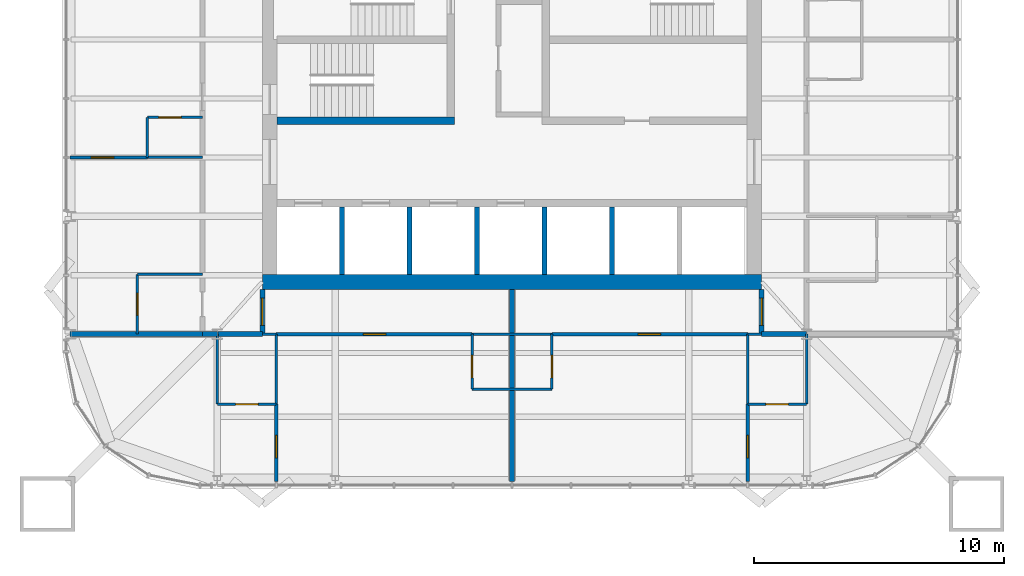
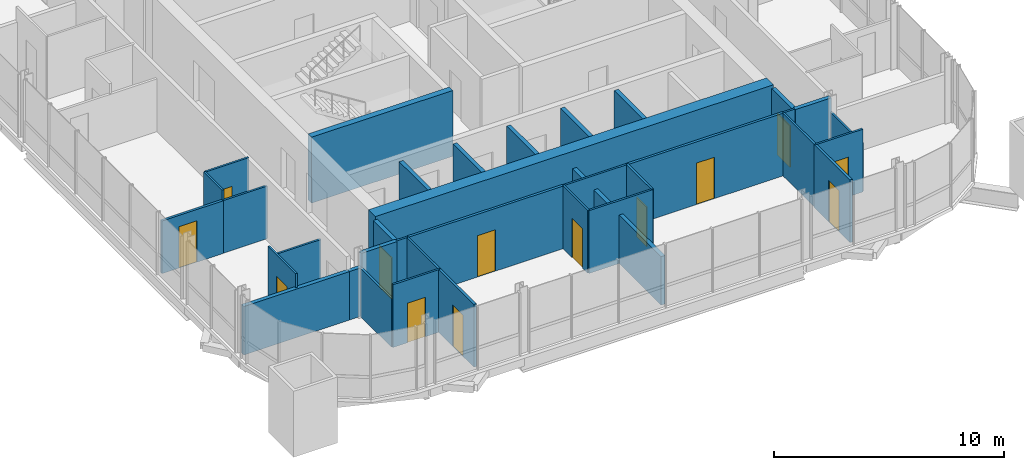
# One storey, part 13 of 17: 36 walls, 13 doors, 13 openings.
"""IFC4 building model written with IfcOpenShell, lengths in metres."""

import ifcopenshell
import ifcopenshell.guid

model = None  # the IFC model being written
_history = None  # IfcOwnerHistory: only IFC2X3 demands one
_inside = {}  # id of a spatial element -> (the spatial element, [elements in it])
_under = {}  # id of a project, library or spatial element -> (it, [spatial elements below it])
_declared = {}  # id of a project -> (the project, [libraries it declares])
_typed = {}  # id of a type object -> (the type object, [elements of that type])
_made_of = {}  # id of a material, layer set ... -> (it, [elements and type objects made of it])


def new_model(schema):
    """Start an empty IFC model of exactly this schema.

    Asked for "IFC4X3", IfcOpenShell would pick the latest addendum, in which some entities
    have other attributes; the version numbers below select the first issue.
    IFC2X3 requires an IfcOwnerHistory on every rooted entity: one is made here for all.
    """
    global model, _history
    if schema == "IFC4X3":
        model = ifcopenshell.file(schema_version=(4, 3, 0, 0))
    else:
        model = ifcopenshell.file(schema=schema)
    _inside.clear()
    _under.clear()
    _declared.clear()
    _typed.clear()
    _made_of.clear()
    _history = None
    if model.schema == "IFC2X3":
        org = make("IfcOrganization", Name="unknown")
        user = make(
            "IfcPersonAndOrganization",
            ThePerson=make("IfcPerson", FamilyName="unknown"),
            TheOrganization=org,
        )
        app = make(
            "IfcApplication",
            ApplicationDeveloper=org,
            Version="unknown",
            ApplicationFullName="unknown",
            ApplicationIdentifier="unknown",
        )
        _history = make(
            "IfcOwnerHistory",
            OwningUser=user,
            OwningApplication=app,
            ChangeAction="ADDED",
            CreationDate=0,
        )
    return model


def make(cls, **values):
    """One entity of the class cls with the attributes given. An attribute that is None is left unset."""
    return model.create_entity(
        cls, **{name: value for name, value in values.items() if value is not None}
    )


def rooted(cls, **values):
    """An entity with a GlobalId (a new one), such as an element, a storey or a relation."""
    return make(cls, GlobalId=ifcopenshell.guid.new(), OwnerHistory=_history, **values)


def si_unit(unit_type, name, prefix=None):
    """IfcSIUnit, for example si_unit("LENGTHUNIT", "METRE", prefix="MILLI")."""
    return make("IfcSIUnit", UnitType=unit_type, Prefix=prefix, Name=name)


def assignment(units):
    """IfcUnitAssignment: the units of a project."""
    return None if units is None else make("IfcUnitAssignment", Units=units)


def point(xyz):
    """IfcCartesianPoint."""
    return None if xyz is None else make("IfcCartesianPoint", Coordinates=xyz)


def direction(xyz):
    """IfcDirection."""
    return None if xyz is None else make("IfcDirection", DirectionRatios=xyz)


def frame(location, z_axis=None, x_axis=None):
    """IfcAxis2Placement3D, a coordinate frame: its origin and axes. An axis left out is left unset."""
    return make(
        "IfcAxis2Placement3D",
        Location=point(location),
        Axis=direction(z_axis),
        RefDirection=direction(x_axis),
    )


def frame_2d(location, x_axis=None):
    """IfcAxis2Placement2D, a coordinate frame in the plane: its origin and x axis."""
    return make(
        "IfcAxis2Placement2D", Location=point(location), RefDirection=direction(x_axis)
    )


def origin():
    """The frame at (0, 0, 0) with its axes left unset."""
    return frame((0.0, 0.0, 0.0))


def place(relative_to, where):
    """IfcLocalPlacement: puts the frame where relative to a parent placement (None: the world)."""
    return make(
        "IfcLocalPlacement", PlacementRelTo=relative_to, RelativePlacement=where
    )


def context(
    kind, dimensions, precision=None, world=None, true_north=None, identifier=None
):
    """IfcGeometricRepresentationContext, for example the 3D "Model" context."""
    return make(
        "IfcGeometricRepresentationContext",
        ContextIdentifier=identifier,
        ContextType=kind,
        CoordinateSpaceDimension=dimensions,
        Precision=precision,
        WorldCoordinateSystem=world,
        TrueNorth=true_north,
    )


def subcontext(parent, identifier, kind, view, scale=None):
    """IfcGeometricRepresentationSubContext, for example "Body" below "Model"."""
    return make(
        "IfcGeometricRepresentationSubContext",
        ContextIdentifier=identifier,
        ContextType=kind,
        ParentContext=parent,
        TargetScale=scale,
        TargetView=view,
    )


def project(units=None, contexts=None):
    """IfcProject with its units and contexts."""
    return rooted(
        "IfcProject",
        Name="project",
        RepresentationContexts=contexts,
        UnitsInContext=assignment(units),
    )


def spatial(cls, under=None, at=None, **own):
    """A site, building, storey or space (cls), placed at a placement, below another one or the project."""
    s = rooted(cls, ObjectPlacement=at, **own)
    if under is not None:
        _under.setdefault(under.id(), (under, []))[1].append(s)
    return s


def profile(cls, at=None, kind="AREA", **sizes):
    """A parametric profile (cls). Its sizes go by their IFC names, for example OverallWidth=200.0."""
    return make(cls, ProfileType=kind, Position=at, **sizes)


def rectangle(**sizes):
    """IfcRectangleProfileDef."""
    return profile("IfcRectangleProfileDef", **sizes)


def extrude(swept, where, along, depth):
    """IfcExtrudedAreaSolid: the profile swept, set in the frame where, extruded along a direction by depth."""
    return make(
        "IfcExtrudedAreaSolid",
        SweptArea=swept,
        Position=where,
        ExtrudedDirection=direction(along),
        Depth=depth,
    )


def shape(context_of_items, identifier, shape_type, items):
    """IfcShapeRepresentation: the items that make up one representation, for example the "Body"."""
    return make(
        "IfcShapeRepresentation",
        ContextOfItems=context_of_items,
        RepresentationIdentifier=identifier,
        RepresentationType=shape_type,
        Items=items,
    )


def material(Name=None, Category=None):
    """IfcMaterial."""
    return make("IfcMaterial", Name=Name, Category=Category)


def layer(
    of_material, thickness, ventilated=None, Name=None, Category=None, Priority=None
):
    """IfcMaterialLayer: one layer of a wall or slab, of a material (None: an air gap)."""
    return make(
        "IfcMaterialLayer",
        Material=of_material,
        LayerThickness=thickness,
        IsVentilated=ventilated,
        Name=Name,
        Category=Category,
        Priority=Priority,
    )


def layer_set(layers, Name=None):
    """IfcMaterialLayerSet."""
    return make("IfcMaterialLayerSet", MaterialLayers=layers, LayerSetName=Name)


def made_of(thing, what):
    """Note that an element or type object is made of a material, layer set ...; save() writes the relation."""
    if what is not None:
        _made_of.setdefault(what.id(), (what, []))[1].append(thing)
    return thing


def type_object(cls, material=None, **own):
    """A type object (cls), such as IfcWallType, which elements share."""
    return made_of(rooted(cls, **own), material)


def element(
    cls,
    number,
    at=None,
    inside=None,
    cuts=None,
    type_object=None,
    material=None,
    context=None,
    identifier="Body",
    shape_type=None,
    held_by="IfcProductDefinitionShape",
    body=None,
    shapes=None,
    **own,
):
    """One element of the class cls, such as IfcWall. Its Tag is "e" and its number.

    at: its placement. inside: the storey or other place that contains it. cuts: it is an
    opening in that element (IfcRelVoidsElement). A single representation is given by context,
    identifier, shape_type and body (its items); several are given by shapes. held_by: the class
    of the entity that holds the representations. save() writes the other relations.
    """
    e = rooted(cls, Tag="e%d" % number, ObjectPlacement=at, **own)
    if body is not None:
        shapes = [shape(context, identifier, shape_type, body)]
    if shapes is not None:
        e.Representation = make(held_by, Representations=shapes)
    if inside is not None:
        _inside.setdefault(inside.id(), (inside, []))[1].append(e)
    if cuts is not None:
        rooted(
            "IfcRelVoidsElement", RelatingBuildingElement=cuts, RelatedOpeningElement=e
        )
    if type_object is not None:
        _typed.setdefault(type_object.id(), (type_object, []))[1].append(e)
    return made_of(e, material)


def fill(opening, filler):
    """IfcRelFillsElement: the door or window that sits in an opening."""
    return rooted(
        "IfcRelFillsElement",
        RelatingOpeningElement=opening,
        RelatedBuildingElement=filler,
    )


def aggregate(whole, parts):
    """IfcRelAggregates: a whole, such as a stair, and the parts it consists of."""
    return rooted("IfcRelAggregates", RelatingObject=whole, RelatedObjects=parts)


def save(model, path):
    """Write the relations noted so far, then the file.

    IfcRelAggregates (storeys below a building ...), IfcRelContainedInSpatialStructure (elements
    in a storey), IfcRelDefinesByType, IfcRelAssociatesMaterial and IfcRelDeclares: one each for
    every whole, place, type object, material and project.
    """
    for whole, parts in _under.values():
        aggregate(whole, parts)
    for where, things in _inside.values():
        rooted(
            "IfcRelContainedInSpatialStructure",
            RelatedElements=things,
            RelatingStructure=where,
        )
    for kind, things in _typed.values():
        rooted("IfcRelDefinesByType", RelatedObjects=things, RelatingType=kind)
    for what, things in _made_of.values():
        rooted("IfcRelAssociatesMaterial", RelatedObjects=things, RelatingMaterial=what)
    for by, libraries in _declared.values():
        rooted("IfcRelDeclares", RelatingContext=by, RelatedDefinitions=libraries)
    model.write(path)


model = new_model("IFC4")

# Units and contexts
model_context = context("Model", 3, precision=1e-05, world=origin(), true_north=direction((0.0, 1.0)))
body_context = subcontext(model_context, "Body", "Model", "MODEL_VIEW")
ifc_project = project(units=[si_unit("LENGTHUNIT", "METRE"), si_unit("AREAUNIT", "SQUARE_METRE"), si_unit("VOLUMEUNIT", "CUBIC_METRE"), si_unit("PLANEANGLEUNIT", "RADIAN"), si_unit("MASSUNIT", "GRAM", prefix="KILO")], contexts=[model_context])

# Site, building, storey
site_placement = place(None, origin())
site = spatial("IfcSite", under=ifc_project, at=site_placement, CompositionType="ELEMENT")
building_placement = place(site_placement, origin())
building = spatial("IfcBuilding", under=site, at=building_placement, Name="Turquesa Mirador Hotel Tower", CompositionType="ELEMENT")
storey_placement = place(building_placement, frame((0.0, 0.0, 237.199951171875)))
storey = spatial("IfcBuildingStorey", under=building, at=storey_placement, Name="L64", CompositionType="ELEMENT", Elevation=237.199951171875)

# Walls
ifc_material_1 = material(Name="Gypsum board on steel studs", Category="steel")
ifc_layer_1 = layer(ifc_material_1, 0.10009765625)
ifc_layer_set_1 = layer_set([ifc_layer_1], Name="BATHROOM WALL 100")
wall_type_1 = type_object("IfcWallType", Name="BATHROOM WALL 100", PredefinedType="PARTITIONING", material=ifc_layer_set_1)
wall_1_placement = place(storey_placement, frame((45.0, 33.199951171875, 0.0), z_axis=(0.0, 0.0, 1.0), x_axis=(1.0, 0.0, 0.0)))
element("IfcWall", 1, at=wall_1_placement, inside=storey, type_object=wall_type_1, Name="Partition L64 002", PredefinedType="PARTITIONING", context=body_context, shape_type="SweptSolid", body=[
    extrude(rectangle(XDim=0.56005859375, YDim=0.10009765625, at=frame_2d((0.280029296875, 0.0))), origin(), (0.0, 0.0, 1.0), 3.330078125),
])
wall_2_placement = place(storey_placement, frame((53.39990234375, 33.199951171875, 0.0), z_axis=(0.0, 0.0, 1.0), x_axis=(1.0, 0.0, 0.0)))
element("IfcWall", 2, at=wall_2_placement, inside=storey, type_object=wall_type_1, Name="Partition L64 003", PredefinedType="PARTITIONING", context=body_context, shape_type="SweptSolid", body=[
    extrude(rectangle(XDim=3.2001953125, YDim=0.10009765625, at=frame_2d((1.60009765625, 0.0))), origin(), (0.0, 0.0, 1.0), 3.330078125),
])
wall_3_placement = place(storey_placement, frame((64.43994140625, 33.199951171875, 0.0), z_axis=(0.0, 0.0, 1.0), x_axis=(1.0, 0.0, 0.0)))
element("IfcWall", 3, at=wall_3_placement, inside=storey, type_object=wall_type_1, Name="Partition L64 004", PredefinedType="PARTITIONING", context=body_context, shape_type="SweptSolid", body=[
    extrude(rectangle(XDim=0.56005859375, YDim=0.10009765625, at=frame_2d((0.280029296875, 0.0))), origin(), (0.0, 0.0, 1.0), 3.330078125),
])
wall_4_placement = place(storey_placement, frame((53.39990234375, 31.0, 0.0), z_axis=(0.0, 0.0, 1.0), x_axis=(1.0, 0.0, 0.0)))
element("IfcWall", 4, at=wall_4_placement, inside=storey, type_object=wall_type_1, Name="Partition L64 011", PredefinedType="PARTITIONING", context=body_context, shape_type="SweptSolid", body=[
    extrude(rectangle(XDim=3.2001953125, YDim=0.10009765625, at=frame_2d((1.60009765625, 0.0))), origin(), (0.0, 0.0, 1.0), 3.330078125),
])

# Wall, opening, door
wall_5_placement = place(storey_placement, frame((43.199951171875, 30.39990234375, 0.0), z_axis=(0.0, 0.0, 1.0), x_axis=(1.0, 0.0, 0.0)))
wall_5 = element("IfcWall", 5, at=wall_5_placement, inside=storey, type_object=wall_type_1, Name="Partition L64 012", PredefinedType="PARTITIONING", context=body_context, shape_type="SweptSolid", body=[
    extrude(rectangle(XDim=2.360107421875, YDim=0.10009765625, at=frame_2d((1.18017578125, 0.0))), origin(), (0.0, 0.0, 1.0), 3.330078125),
])
opening_1_placement = place(wall_5_placement, frame((0.72998046875, 0.0, 0.0)))
opening_1 = element("IfcOpeningElement", 6, at=opening_1_placement, cuts=wall_5, Name="Opening D02", PredefinedType="OPENING", context=body_context, shape_type="SweptSolid", body=[
    extrude(rectangle(XDim=0.89990234375, YDim=2.10009765625, at=frame_2d((0.449951171875, 1.050048828125))), frame((0.0, 0.06005859375, 0.0), z_axis=(0.0, -1.0, 0.0), x_axis=(1.0, 0.0, 0.0)), (0.0, 0.0, 1.0), 0.1201171875),
])
ifc_material_2 = material(Name="Timber veneered door", Category="wood")
door_type_1 = type_object("IfcDoorType", Name="DOOR 900X2100 EN-SUITE", OperationType="SINGLE_SWING_RIGHT", PredefinedType="DOOR", material=ifc_material_2)
door_1_placement = place(opening_1_placement, origin())
door_1 = element("IfcDoor", 7, at=door_1_placement, inside=storey, type_object=door_type_1, Name="Door 6402B", OperationType="SINGLE_SWING_RIGHT", OverallHeight=2.10009765625, OverallWidth=0.89990234375, PredefinedType="DOOR", context=body_context, shape_type="SweptSolid", body=[
    extrude(rectangle(XDim=0.89990234375, YDim=2.10009765625, at=frame_2d((0.449951171875, 1.050048828125))), frame((0.0, 0.02490234375, 0.0), z_axis=(0.0, -1.0, 0.0), x_axis=(1.0, 0.0, 0.0)), (0.0, 0.0, 1.0), 0.050048828125),
])
fill(opening_1, door_1)

wall_6_placement = place(storey_placement, frame((64.43994140625, 30.39990234375, 0.0), z_axis=(0.0, 0.0, 1.0), x_axis=(1.0, 0.0, 0.0)))
wall_6 = element("IfcWall", 8, at=wall_6_placement, inside=storey, type_object=wall_type_1, Name="Partition L64 013", PredefinedType="PARTITIONING", context=body_context, shape_type="SweptSolid", body=[
    extrude(rectangle(XDim=2.360107421875, YDim=0.10009765625, at=frame_2d((1.18017578125, 0.0))), origin(), (0.0, 0.0, 1.0), 3.330078125),
])
opening_2_placement = place(wall_6_placement, frame((0.72998046875, 0.0, 0.0)))
opening_2 = element("IfcOpeningElement", 9, at=opening_2_placement, cuts=wall_6, Name="Opening D02", PredefinedType="OPENING", context=body_context, shape_type="SweptSolid", body=[
    extrude(rectangle(XDim=0.89990234375, YDim=2.10009765625, at=frame_2d((0.449951171875, 1.050048828125))), frame((0.0, 0.06005859375, 0.0), z_axis=(0.0, -1.0, 0.0), x_axis=(1.0, 0.0, 0.0)), (0.0, 0.0, 1.0), 0.1201171875),
])
door_2_placement = place(opening_2_placement, origin())
door_2 = element("IfcDoor", 10, at=door_2_placement, inside=storey, type_object=door_type_1, Name="Door 6403B", OperationType="SINGLE_SWING_RIGHT", OverallHeight=2.10009765625, OverallWidth=0.89990234375, PredefinedType="DOOR", context=body_context, shape_type="SweptSolid", body=[
    extrude(rectangle(XDim=0.89990234375, YDim=2.10009765625, at=frame_2d((0.449951171875, 1.050048828125))), frame((0.0, 0.02490234375, 0.0), z_axis=(0.0, -1.0, 0.0), x_axis=(1.0, 0.0, 0.0)), (0.0, 0.0, 1.0), 0.050048828125),
])
fill(opening_2, door_2)

wall_7_placement = place(storey_placement, frame((40.39990234375, 41.8798828125, 0.0), z_axis=(0.0, 0.0, 1.0), x_axis=(1.0, 0.0, 0.0)))
wall_7 = element("IfcWall", 11, at=wall_7_placement, inside=storey, type_object=wall_type_1, Name="Partition L64 014", PredefinedType="PARTITIONING", context=body_context, shape_type="SweptSolid", body=[
    extrude(rectangle(XDim=2.2001953125, YDim=0.10009765625, at=frame_2d((1.10009765625, 0.0))), origin(), (0.0, 0.0, 1.0), 3.330078125),
])
opening_3_placement = place(wall_7_placement, frame((0.449951171875, 0.0, 0.0)))
opening_3 = element("IfcOpeningElement", 12, at=opening_3_placement, cuts=wall_7, Name="Opening D06", PredefinedType="OPENING", context=body_context, shape_type="SweptSolid", body=[
    extrude(rectangle(XDim=0.89990234375, YDim=2.10009765625, at=frame_2d((0.449951171875, 1.050048828125))), frame((0.0, 0.06005859375, 0.0), z_axis=(0.0, -1.0, 0.0), x_axis=(1.0, 0.0, 0.0)), (0.0, 0.0, 1.0), 0.1201171875),
])
ifc_material_3 = material(Name="Laminate door", Category="wood")
door_type_2 = type_object("IfcDoorType", Name="DOOR 900X2100 WC", OperationType="SINGLE_SWING_LEFT", PredefinedType="DOOR", material=ifc_material_3)
door_3_placement = place(opening_3_placement, origin())
door_3 = element("IfcDoor", 13, at=door_3_placement, inside=storey, type_object=door_type_2, Name="Door 6406W", OperationType="SINGLE_SWING_LEFT", OverallHeight=2.10009765625, OverallWidth=0.89990234375, PredefinedType="DOOR", context=body_context, shape_type="SweptSolid", body=[
    extrude(rectangle(XDim=0.89990234375, YDim=2.10009765625, at=frame_2d((0.449951171875, 1.050048828125))), frame((0.0, 0.02490234375, 0.0), z_axis=(0.0, -1.0, 0.0), x_axis=(1.0, 0.0, 0.0)), (0.0, 0.0, 1.0), 0.050048828125),
])
fill(opening_3, door_3)

# Walls
wall_8_placement = place(storey_placement, frame((40.39990234375, 40.280029296875, 0.0), z_axis=(0.0, 0.0, 1.0), x_axis=(1.0, 0.0, 0.0)))
element("IfcWall", 14, at=wall_8_placement, inside=storey, type_object=wall_type_1, Name="Partition L64 015", PredefinedType="PARTITIONING", context=body_context, shape_type="SweptSolid", body=[
    extrude(rectangle(XDim=2.2001953125, YDim=0.10009765625, at=frame_2d((1.10009765625, 0.0))), origin(), (0.0, 0.0, 1.0), 2.796630859375),
])
wall_9_placement = place(storey_placement, frame((40.0, 35.60009765625, 0.0), z_axis=(0.0, 0.0, 1.0), x_axis=(1.0, 0.0, 0.0)))
element("IfcWall", 15, at=wall_9_placement, inside=storey, type_object=wall_type_1, Name="Partition L64 019", PredefinedType="PARTITIONING", context=body_context, shape_type="SweptSolid", body=[
    extrude(rectangle(XDim=2.60009765625, YDim=0.10009765625, at=frame_2d((1.300048828125, 0.0))), origin(), (0.0, 0.0, 1.0), 2.796630859375),
])

# Wall, opening, door
wall_10_placement = place(storey_placement, frame((53.39990234375, 31.0, 0.0), z_axis=(0.0, 0.0, 1.0), x_axis=(0.0, 1.0, 0.0)))
wall_10 = element("IfcWall", 16, at=wall_10_placement, inside=storey, type_object=wall_type_1, Name="Partition L64 041", PredefinedType="PARTITIONING", context=body_context, shape_type="SweptSolid", body=[
    extrude(rectangle(XDim=2.199951171875, YDim=0.10009765625, at=frame_2d((1.10009765625, 0.0))), origin(), (0.0, 0.0, 1.0), 3.330078125),
])
opening_4_placement = place(wall_10_placement, frame((0.449951171875, 0.0, 0.0)))
opening_4 = element("IfcOpeningElement", 17, at=opening_4_placement, cuts=wall_10, Name="Opening D06", PredefinedType="OPENING", context=body_context, shape_type="SweptSolid", body=[
    extrude(rectangle(XDim=0.89990234375, YDim=2.10009765625, at=frame_2d((0.449951171875, 1.050048828125))), frame((0.0, 0.06005859375, 0.0), z_axis=(0.0, -1.0, 0.0), x_axis=(1.0, 0.0, 0.0)), (0.0, 0.0, 1.0), 0.1201171875),
])
door_4_placement = place(opening_4_placement, origin())
door_4 = element("IfcDoor", 18, at=door_4_placement, inside=storey, type_object=door_type_2, Name="Door 6402W", OperationType="SINGLE_SWING_LEFT", OverallHeight=2.10009765625, OverallWidth=0.89990234375, PredefinedType="DOOR", context=body_context, shape_type="SweptSolid", body=[
    extrude(rectangle(XDim=0.89990234375, YDim=2.10009765625, at=frame_2d((0.449951171875, 1.050048828125))), frame((0.0, 0.02490234375, 0.0), z_axis=(0.0, -1.0, 0.0), x_axis=(1.0, 0.0, 0.0)), (0.0, 0.0, 1.0), 0.050048828125),
])
fill(opening_4, door_4)

# Walls
wall_11_placement = place(storey_placement, frame((43.199951171875, 30.39990234375, 0.0), z_axis=(0.0, 0.0, 1.0), x_axis=(0.0, 1.0, 0.0)))
element("IfcWall", 19, at=wall_11_placement, inside=storey, type_object=wall_type_1, Name="Partition L64 044", PredefinedType="PARTITIONING", context=body_context, shape_type="SweptSolid", body=[
    extrude(rectangle(XDim=2.800048828125, YDim=0.10009765625, at=frame_2d((1.39990234375, 0.0))), origin(), (0.0, 0.0, 1.0), 2.5732421875),
])
wall_12_placement = place(storey_placement, frame((40.39990234375, 40.280029296875, 0.0), z_axis=(0.0, 0.0, 1.0), x_axis=(0.0, 1.0, 0.0)))
element("IfcWall", 20, at=wall_12_placement, inside=storey, type_object=wall_type_1, Name="Partition L64 047", PredefinedType="PARTITIONING", context=body_context, shape_type="SweptSolid", body=[
    extrude(rectangle(XDim=1.599853515625, YDim=0.10009765625, at=frame_2d((0.7998046875, 0.0))), origin(), (0.0, 0.0, 1.0), 3.330078125),
])

# Wall, opening, door
wall_13_placement = place(storey_placement, frame((40.0, 33.199951171875, 0.0), z_axis=(0.0, 0.0, 1.0), x_axis=(0.0, 1.0, 0.0)))
wall_13 = element("IfcWall", 21, at=wall_13_placement, inside=storey, type_object=wall_type_1, Name="Partition L64 049", PredefinedType="PARTITIONING", context=body_context, shape_type="SweptSolid", body=[
    extrude(rectangle(XDim=2.400146484375, YDim=0.10009765625, at=frame_2d((1.2001953125, 0.0))), origin(), (0.0, 0.0, 1.0), 3.330078125),
])
opening_5_placement = place(wall_13_placement, frame((0.75, 0.0, 0.0)))
opening_5 = element("IfcOpeningElement", 22, at=opening_5_placement, cuts=wall_13, Name="Opening D17", PredefinedType="OPENING", context=body_context, shape_type="SweptSolid", body=[
    extrude(rectangle(XDim=0.89990234375, YDim=2.199951171875, at=frame_2d((0.449951171875, 1.10009765625))), frame((0.0, 0.06005859375, 0.0), z_axis=(0.0, -1.0, 0.0), x_axis=(1.0, 0.0, 0.0)), (0.0, 0.0, 1.0), 0.1201171875),
])
ifc_material_4 = material(Name="Timber veneered door", Category="wood")
door_type_3 = type_object("IfcDoorType", Name="DOOR 900X2200 SUITE INTERNAL", OperationType="SINGLE_SWING_LEFT", PredefinedType="DOOR", material=ifc_material_4)
door_5_placement = place(opening_5_placement, origin())
door_5 = element("IfcDoor", 23, at=door_5_placement, inside=storey, type_object=door_type_3, Name="Door 6406P", OperationType="SINGLE_SWING_LEFT", OverallHeight=2.199951171875, OverallWidth=0.89990234375, PredefinedType="DOOR", context=body_context, shape_type="SweptSolid", body=[
    extrude(rectangle(XDim=0.89990234375, YDim=2.199951171875, at=frame_2d((0.449951171875, 1.10009765625))), frame((0.0, 0.02490234375, 0.0), z_axis=(0.0, -1.0, 0.0), x_axis=(1.0, 0.0, 0.0)), (0.0, 0.0, 1.0), 0.050048828125),
])
fill(opening_5, door_5)

# Wall
wall_14_placement = place(storey_placement, frame((45.56005859375, 30.39990234375, 0.0), z_axis=(0.0, 0.0, 1.0), x_axis=(0.0, 1.0, 0.0)))
element("IfcWall", 24, at=wall_14_placement, inside=storey, type_object=wall_type_1, Name="Partition L64 055", PredefinedType="PARTITIONING", context=body_context, shape_type="SweptSolid", body=[
    extrude(rectangle(XDim=2.800048828125, YDim=0.10009765625, at=frame_2d((1.39990234375, 0.0))), origin(), (0.0, 0.0, 1.0), 3.330078125),
])

# Wall, opening, door
wall_15_placement = place(storey_placement, frame((56.60009765625, 31.0, 0.0), z_axis=(0.0, 0.0, 1.0), x_axis=(0.0, 1.0, 0.0)))
wall_15 = element("IfcWall", 25, at=wall_15_placement, inside=storey, type_object=wall_type_1, Name="Partition L64 058", PredefinedType="PARTITIONING", context=body_context, shape_type="SweptSolid", body=[
    extrude(rectangle(XDim=2.199951171875, YDim=0.10009765625, at=frame_2d((1.10009765625, 0.0))), origin(), (0.0, 0.0, 1.0), 3.330078125),
])
opening_6_placement = place(wall_15_placement, frame((0.449951171875, 0.0, 0.0)))
opening_6 = element("IfcOpeningElement", 26, at=opening_6_placement, cuts=wall_15, Name="Opening D06", PredefinedType="OPENING", context=body_context, shape_type="SweptSolid", body=[
    extrude(rectangle(XDim=0.89990234375, YDim=2.10009765625, at=frame_2d((0.449951171875, 1.050048828125))), frame((0.0, 0.06005859375, 0.0), z_axis=(0.0, -1.0, 0.0), x_axis=(1.0, 0.0, 0.0)), (0.0, 0.0, 1.0), 0.1201171875),
])
door_6_placement = place(opening_6_placement, origin())
door_6 = element("IfcDoor", 27, at=door_6_placement, inside=storey, type_object=door_type_2, Name="Door 6403W", OperationType="SINGLE_SWING_LEFT", OverallHeight=2.10009765625, OverallWidth=0.89990234375, PredefinedType="DOOR", context=body_context, shape_type="SweptSolid", body=[
    extrude(rectangle(XDim=0.89990234375, YDim=2.10009765625, at=frame_2d((0.449951171875, 1.050048828125))), frame((0.0, 0.02490234375, 0.0), z_axis=(0.0, -1.0, 0.0), x_axis=(1.0, 0.0, 0.0)), (0.0, 0.0, 1.0), 0.050048828125),
])
fill(opening_6, door_6)

# Walls
wall_16_placement = place(storey_placement, frame((66.800048828125, 30.39990234375, 0.0), z_axis=(0.0, 0.0, 1.0), x_axis=(0.0, 1.0, 0.0)))
element("IfcWall", 28, at=wall_16_placement, inside=storey, type_object=wall_type_1, Name="Partition L64 061", PredefinedType="PARTITIONING", context=body_context, shape_type="SweptSolid", body=[
    extrude(rectangle(XDim=2.800048828125, YDim=0.10009765625, at=frame_2d((1.39990234375, 0.0))), origin(), (0.0, 0.0, 1.0), 2.5732421875),
])
wall_17_placement = place(storey_placement, frame((64.43994140625, 30.39990234375, 0.0), z_axis=(0.0, 0.0, 1.0), x_axis=(0.0, 1.0, 0.0)))
element("IfcWall", 29, at=wall_17_placement, inside=storey, type_object=wall_type_1, Name="Partition L64 070", PredefinedType="PARTITIONING", context=body_context, shape_type="SweptSolid", body=[
    extrude(rectangle(XDim=2.800048828125, YDim=0.10009765625, at=frame_2d((1.39990234375, 0.0))), origin(), (0.0, 0.0, 1.0), 3.330078125),
])
ifc_material_5 = material(Name="Concrete C50/60", Category="concrete")
ifc_layer_2 = layer(ifc_material_5, 0.300048828125)
ifc_layer_set_2 = layer_set([ifc_layer_2], Name="CORE INNER WALL 300")
wall_type_2 = type_object("IfcWallType", Name="CORE INNER WALL 300", PredefinedType="SHEAR", material=ifc_layer_set_2)
wall_18_placement = place(storey_placement, frame((45.60009765625, 41.75, 0.0), z_axis=(0.0, 0.0, 1.0), x_axis=(1.0, 0.0, 0.0)))
element("IfcWall", 30, at=wall_18_placement, inside=storey, type_object=wall_type_2, Name="Core wall MS-W", PredefinedType="SHEAR", context=body_context, shape_type="SweptSolid", body=[
    extrude(rectangle(XDim=7.099853515625, YDim=0.300048828125, at=frame_2d((3.5498046875, 0.0))), origin(), (0.0, 0.0, 1.0), 3.5),
])
ifc_material_6 = material(Name="Concrete C50/60", Category="concrete")
ifc_layer_3 = layer(ifc_material_6, 0.60009765625)
ifc_layer_set_3 = layer_set([ifc_layer_3], Name="CORE WALL 600")
wall_type_3 = type_object("IfcWallType", Name="CORE WALL 600", PredefinedType="SHEAR", material=ifc_layer_set_3)
wall_19_placement = place(storey_placement, frame((45.0, 35.300048828125, 0.0), z_axis=(0.0, 0.0, 1.0), x_axis=(1.0, 0.0, 0.0)))
element("IfcWall", 31, at=wall_19_placement, inside=storey, type_object=wall_type_3, Name="Core wall S", PredefinedType="SHEAR", context=body_context, shape_type="SweptSolid", body=[
    extrude(rectangle(XDim=20.0, YDim=0.60009765625, at=frame_2d((10.0, 0.0))), origin(), (0.0, 0.0, 1.0), 3.5),
])
ifc_material_7 = material(Name="Fire-rated gypsum board on steel studs", Category="steel")
ifc_layer_4 = layer(ifc_material_7, 0.199951171875)
ifc_layer_set_4 = layer_set([ifc_layer_4], Name="CORRIDOR WALL 200")
wall_type_4 = type_object("IfcWallType", Name="CORRIDOR WALL 200", PredefinedType="PARTITIONING", material=ifc_layer_set_4)
wall_20_placement = place(storey_placement, frame((43.219970703125, 33.199951171875, 0.0), z_axis=(0.0, 0.0, 1.0), x_axis=(1.0, 0.0, 0.0)))
element("IfcWall", 32, at=wall_20_placement, inside=storey, type_object=wall_type_4, Name="Partition L64 005", PredefinedType="PARTITIONING", context=body_context, shape_type="SweptSolid", body=[
    extrude(rectangle(XDim=1.780029296875, YDim=0.199951171875, at=frame_2d((0.89013671875, 0.0))), origin(), (0.0, 0.0, 1.0), 3.330078125),
])
wall_21_placement = place(storey_placement, frame((65.0, 33.199951171875, 0.0), z_axis=(0.0, 0.0, 1.0), x_axis=(1.0, 0.0, 0.0)))
element("IfcWall", 33, at=wall_21_placement, inside=storey, type_object=wall_type_4, Name="Partition L64 006", PredefinedType="PARTITIONING", context=body_context, shape_type="SweptSolid", body=[
    extrude(rectangle(XDim=1.800048828125, YDim=0.199951171875, at=frame_2d((0.89990234375, 0.0))), origin(), (0.0, 0.0, 1.0), 3.330078125),
])

# Wall, opening, door
wall_22_placement = place(storey_placement, frame((45.0, 33.199951171875, 0.0), z_axis=(0.0, 0.0, 1.0), x_axis=(0.0, 1.0, 0.0)))
wall_22 = element("IfcWall", 34, at=wall_22_placement, inside=storey, type_object=wall_type_4, Name="Partition L64 042", PredefinedType="PARTITIONING", context=body_context, shape_type="SweptSolid", body=[
    extrude(rectangle(XDim=1.800048828125, YDim=0.199951171875, at=frame_2d((0.89990234375, 0.0))), origin(), (0.0, 0.0, 1.0), 3.330078125),
])
opening_7_placement = place(wall_22_placement, frame((0.35009765625, 0.0, 0.0)))
opening_7 = element("IfcOpeningElement", 35, at=opening_7_placement, cuts=wall_22, Name="Opening D15", PredefinedType="OPENING", context=body_context, shape_type="SweptSolid", body=[
    extrude(rectangle(XDim=1.10009765625, YDim=2.199951171875, at=frame_2d((0.550048828125, 1.10009765625))), frame((0.0, 0.10986328125, 0.0), z_axis=(0.0, -1.0, 0.0), x_axis=(1.0, 0.0, 0.0)), (0.0, 0.0, 1.0), 0.219970703125),
])
ifc_material_8 = material(Name="Timber veneered fire door", Category="wood")
door_type_4 = type_object("IfcDoorType", Name="DOOR 1100X2200 SUITE ENTRY", OperationType="SINGLE_SWING_LEFT", PredefinedType="DOOR", material=ifc_material_8)
door_7_placement = place(opening_7_placement, origin())
door_7 = element("IfcDoor", 36, at=door_7_placement, inside=storey, type_object=door_type_4, Name="Door 6402G", OperationType="SINGLE_SWING_LEFT", OverallHeight=2.199951171875, OverallWidth=1.10009765625, PredefinedType="DOOR", context=body_context, shape_type="SweptSolid", body=[
    extrude(rectangle(XDim=1.10009765625, YDim=2.199951171875, at=frame_2d((0.550048828125, 1.10009765625))), frame((0.0, 0.02490234375, 0.0), z_axis=(0.0, -1.0, 0.0), x_axis=(1.0, 0.0, 0.0)), (0.0, 0.0, 1.0), 0.050048828125),
])
fill(opening_7, door_7)

wall_23_placement = place(storey_placement, frame((65.0, 33.199951171875, 0.0), z_axis=(0.0, 0.0, 1.0), x_axis=(0.0, 1.0, 0.0)))
wall_23 = element("IfcWall", 37, at=wall_23_placement, inside=storey, type_object=wall_type_4, Name="Partition L64 059", PredefinedType="PARTITIONING", context=body_context, shape_type="SweptSolid", body=[
    extrude(rectangle(XDim=1.800048828125, YDim=0.199951171875, at=frame_2d((0.89990234375, 0.0))), origin(), (0.0, 0.0, 1.0), 3.330078125),
])
opening_8_placement = place(wall_23_placement, frame((0.35009765625, 0.0, 0.0)))
opening_8 = element("IfcOpeningElement", 38, at=opening_8_placement, cuts=wall_23, Name="Opening D15", PredefinedType="OPENING", context=body_context, shape_type="SweptSolid", body=[
    extrude(rectangle(XDim=1.10009765625, YDim=2.199951171875, at=frame_2d((0.550048828125, 1.10009765625))), frame((0.0, 0.10986328125, 0.0), z_axis=(0.0, -1.0, 0.0), x_axis=(1.0, 0.0, 0.0)), (0.0, 0.0, 1.0), 0.219970703125),
])
door_8_placement = place(opening_8_placement, origin())
door_8 = element("IfcDoor", 39, at=door_8_placement, inside=storey, type_object=door_type_4, Name="Door 6403G", OperationType="SINGLE_SWING_LEFT", OverallHeight=2.199951171875, OverallWidth=1.10009765625, PredefinedType="DOOR", context=body_context, shape_type="SweptSolid", body=[
    extrude(rectangle(XDim=1.10009765625, YDim=2.199951171875, at=frame_2d((0.550048828125, 1.10009765625))), frame((0.0, 0.02490234375, 0.0), z_axis=(0.0, -1.0, 0.0), x_axis=(1.0, 0.0, 0.0)), (0.0, 0.0, 1.0), 0.050048828125),
])
fill(opening_8, door_8)

# Walls
wall_24_placement = place(storey_placement, frame((42.60009765625, 33.199951171875, 0.0), z_axis=(0.0, 0.0, 1.0), x_axis=(1.0, 0.0, 0.0)))
element("IfcWall", 40, at=wall_24_placement, inside=storey, type_object=wall_type_4, Name="Partition L64 072", PredefinedType="PARTITIONING", context=body_context, shape_type="SweptSolid", body=[
    extrude(rectangle(XDim=0.619873046875, YDim=0.199951171875, at=frame_2d((0.31005859375, 0.0))), origin(), (0.0, 0.0, 1.0), 2.5732421875),
])
ifc_material_9 = material(Name="Fire-rated gypsum shaft wall on steel studs", Category="steel")
ifc_layer_5 = layer(ifc_material_9, 0.199951171875)
ifc_layer_set_5 = layer_set([ifc_layer_5], Name="LIFT SHAFT DIVIDER 200")
wall_type_5 = type_object("IfcWallType", Name="LIFT SHAFT DIVIDER 200", PredefinedType="PARTITIONING", material=ifc_layer_set_5)
for number, where, z_axis, x_axis, name in (
    (41, (48.199951171875, 35.60009765625, 0.0), (0.0, 0.0, 1.0), (0.0, 1.0, 0.0), "Lift shaft divider"),
    (42, (50.89990234375, 35.60009765625, 0.0), (0.0, 0.0, 1.0), (0.0, 1.0, 0.0), "Lift shaft divider"),
    (43, (53.60009765625, 35.60009765625, 0.0), (0.0, 0.0, 1.0), (0.0, 1.0, 0.0), "Lift shaft divider"),
    (44, (56.300048828125, 35.60009765625, 0.0), (0.0, 0.0, 1.0), (0.0, 1.0, 0.0), "Lift shaft divider"),
    (45, (59.0, 35.60009765625, 0.0), (0.0, 0.0, 1.0), (0.0, 1.0, 0.0), "Lift shaft divider"),
):
    element("IfcWall", number, at=place(storey_placement, frame(where, z_axis=z_axis, x_axis=x_axis)), inside=storey, type_object=wall_type_5, Name=name, PredefinedType="PARTITIONING", context=body_context, shape_type="SweptSolid", body=[
        extrude(rectangle(XDim=2.699951171875, YDim=0.199951171875, at=frame_2d((1.35009765625, 0.0))), origin(), (0.0, 0.0, 1.0), 3.330078125),
    ])
ifc_material_10 = material(Name="Fire-rated gypsum board on steel studs", Category="steel")
ifc_layer_6 = layer(ifc_material_10, 0.199951171875)
ifc_layer_set_6 = layer_set([ifc_layer_6], Name="PARTY WALL 200")
wall_type_6 = type_object("IfcWallType", Name="PARTY WALL 200", PredefinedType="PARTITIONING", material=ifc_layer_set_6)
wall_25_placement = place(storey_placement, frame((37.300048828125, 33.199951171875, 0.0), z_axis=(0.0, 0.0, 1.0), x_axis=(1.0, 0.0, 0.0)))
element("IfcWall", 46, at=wall_25_placement, inside=storey, type_object=wall_type_6, Name="Partition L64 007", PredefinedType="PARTITIONING", context=body_context, shape_type="SweptSolid", body=[
    extrude(rectangle(XDim=5.300048828125, YDim=0.199951171875, at=frame_2d((2.64990234375, 0.0))), origin(), (0.0, 0.0, 1.0), 2.5732421875),
])
wall_26_placement = place(storey_placement, frame((55.0, 27.300048828125, 0.0), z_axis=(0.0, 0.0, 1.0), x_axis=(0.0, 1.0, 0.0)))
element("IfcWall", 47, at=wall_26_placement, inside=storey, type_object=wall_type_6, Name="Partition L64 057", PredefinedType="PARTITIONING", context=body_context, shape_type="SweptSolid", body=[
    extrude(rectangle(XDim=7.699951171875, YDim=0.199951171875, at=frame_2d((3.85009765625, 0.0))), origin(), (0.0, 0.0, 1.0), 2.5732421875),
])

# Wall, opening, door
ifc_material_11 = material(Name="Acoustic gypsum board on steel studs", Category="steel")
ifc_layer_7 = layer(ifc_material_11, 0.125)
ifc_layer_set_7 = layer_set([ifc_layer_7], Name="SUITE PARTITION 125")
wall_type_7 = type_object("IfcWallType", Name="SUITE PARTITION 125", PredefinedType="PARTITIONING", material=ifc_layer_set_7)
wall_27_placement = place(storey_placement, frame((45.56005859375, 33.199951171875, 0.0), z_axis=(0.0, 0.0, 1.0), x_axis=(1.0, 0.0, 0.0)))
wall_27 = element("IfcWall", 48, at=wall_27_placement, inside=storey, type_object=wall_type_7, Name="Partition L64 009", PredefinedType="PARTITIONING", context=body_context, shape_type="SweptSolid", body=[
    extrude(rectangle(XDim=7.83984375, YDim=0.125, at=frame_2d((3.919921875, 0.0))), origin(), (0.0, 0.0, 1.0), 3.330078125),
])
opening_9_placement = place(wall_27_placement, frame((3.489990234375, 0.0, 0.0)))
opening_9 = element("IfcOpeningElement", 49, at=opening_9_placement, cuts=wall_27, Name="Opening D17", PredefinedType="OPENING", context=body_context, shape_type="SweptSolid", body=[
    extrude(rectangle(XDim=0.89990234375, YDim=2.199951171875, at=frame_2d((0.449951171875, 1.10009765625))), frame((0.0, 0.072509765625, 0.0), z_axis=(0.0, -1.0, 0.0), x_axis=(1.0, 0.0, 0.0)), (0.0, 0.0, 1.0), 0.14501953125),
])
door_9_placement = place(opening_9_placement, origin())
door_9 = element("IfcDoor", 50, at=door_9_placement, inside=storey, type_object=door_type_3, Name="Door 6402", OperationType="SINGLE_SWING_LEFT", OverallHeight=2.199951171875, OverallWidth=0.89990234375, PredefinedType="DOOR", context=body_context, shape_type="SweptSolid", body=[
    extrude(rectangle(XDim=0.89990234375, YDim=2.199951171875, at=frame_2d((0.449951171875, 1.10009765625))), frame((0.0, 0.02490234375, 0.0), z_axis=(0.0, -1.0, 0.0), x_axis=(1.0, 0.0, 0.0)), (0.0, 0.0, 1.0), 0.050048828125),
])
fill(opening_9, door_9)

wall_28_placement = place(storey_placement, frame((56.60009765625, 33.199951171875, 0.0), z_axis=(0.0, 0.0, 1.0), x_axis=(1.0, 0.0, 0.0)))
wall_28 = element("IfcWall", 51, at=wall_28_placement, inside=storey, type_object=wall_type_7, Name="Partition L64 010", PredefinedType="PARTITIONING", context=body_context, shape_type="SweptSolid", body=[
    extrude(rectangle(XDim=7.83984375, YDim=0.125, at=frame_2d((3.919921875, 0.0))), origin(), (0.0, 0.0, 1.0), 3.330078125),
])
opening_10_placement = place(wall_28_placement, frame((3.449951171875, 0.0, 0.0)))
opening_10 = element("IfcOpeningElement", 52, at=opening_10_placement, cuts=wall_28, Name="Opening D17", PredefinedType="OPENING", context=body_context, shape_type="SweptSolid", body=[
    extrude(rectangle(XDim=0.89990234375, YDim=2.199951171875, at=frame_2d((0.449951171875, 1.10009765625))), frame((0.0, 0.072509765625, 0.0), z_axis=(0.0, -1.0, 0.0), x_axis=(1.0, 0.0, 0.0)), (0.0, 0.0, 1.0), 0.14501953125),
])
door_10_placement = place(opening_10_placement, origin())
door_10 = element("IfcDoor", 53, at=door_10_placement, inside=storey, type_object=door_type_3, Name="Door 6403", OperationType="SINGLE_SWING_LEFT", OverallHeight=2.199951171875, OverallWidth=0.89990234375, PredefinedType="DOOR", context=body_context, shape_type="SweptSolid", body=[
    extrude(rectangle(XDim=0.89990234375, YDim=2.199951171875, at=frame_2d((0.449951171875, 1.10009765625))), frame((0.0, 0.02490234375, 0.0), z_axis=(0.0, -1.0, 0.0), x_axis=(1.0, 0.0, 0.0)), (0.0, 0.0, 1.0), 0.050048828125),
])
fill(opening_10, door_10)

wall_29_placement = place(storey_placement, frame((37.300048828125, 40.280029296875, 0.0), z_axis=(0.0, 0.0, 1.0), x_axis=(1.0, 0.0, 0.0)))
wall_29 = element("IfcWall", 54, at=wall_29_placement, inside=storey, type_object=wall_type_7, Name="Partition L64 016", PredefinedType="PARTITIONING", context=body_context, shape_type="SweptSolid", body=[
    extrude(rectangle(XDim=3.099853515625, YDim=0.125, at=frame_2d((1.5498046875, 0.0))), origin(), (0.0, 0.0, 1.0), 2.796630859375),
])
opening_11_placement = place(wall_29_placement, frame((0.85009765625, 0.0, 0.0)))
opening_11 = element("IfcOpeningElement", 55, at=opening_11_placement, cuts=wall_29, Name="Opening D17", PredefinedType="OPENING", context=body_context, shape_type="SweptSolid", body=[
    extrude(rectangle(XDim=0.89990234375, YDim=2.199951171875, at=frame_2d((0.449951171875, 1.10009765625))), frame((0.0, 0.072509765625, 0.0), z_axis=(0.0, -1.0, 0.0), x_axis=(1.0, 0.0, 0.0)), (0.0, 0.0, 1.0), 0.14501953125),
])
door_11_placement = place(opening_11_placement, origin())
door_11 = element("IfcDoor", 56, at=door_11_placement, inside=storey, type_object=door_type_3, Name="Door 6406M", OperationType="SINGLE_SWING_LEFT", OverallHeight=2.199951171875, OverallWidth=0.89990234375, PredefinedType="DOOR", context=body_context, shape_type="SweptSolid", body=[
    extrude(rectangle(XDim=0.89990234375, YDim=2.199951171875, at=frame_2d((0.449951171875, 1.10009765625))), frame((0.0, 0.02490234375, 0.0), z_axis=(0.0, -1.0, 0.0), x_axis=(1.0, 0.0, 0.0)), (0.0, 0.0, 1.0), 0.050048828125),
])
fill(opening_11, door_11)

wall_30_placement = place(storey_placement, frame((45.56005859375, 27.300048828125, 0.0), z_axis=(0.0, 0.0, 1.0), x_axis=(0.0, 1.0, 0.0)))
wall_30 = element("IfcWall", 57, at=wall_30_placement, inside=storey, type_object=wall_type_7, Name="Partition L64 056", PredefinedType="PARTITIONING", context=body_context, shape_type="SweptSolid", body=[
    extrude(rectangle(XDim=3.099853515625, YDim=0.125, at=frame_2d((1.5498046875, 0.0))), origin(), (0.0, 0.0, 1.0), 3.330078125),
])
opening_12_placement = place(wall_30_placement, frame((0.949951171875, 0.0, 0.0)))
opening_12 = element("IfcOpeningElement", 58, at=opening_12_placement, cuts=wall_30, Name="Opening D17", PredefinedType="OPENING", context=body_context, shape_type="SweptSolid", body=[
    extrude(rectangle(XDim=0.89990234375, YDim=2.199951171875, at=frame_2d((0.449951171875, 1.10009765625))), frame((0.0, 0.072509765625, 0.0), z_axis=(0.0, -1.0, 0.0), x_axis=(1.0, 0.0, 0.0)), (0.0, 0.0, 1.0), 0.14501953125),
])
door_12_placement = place(opening_12_placement, origin())
door_12 = element("IfcDoor", 59, at=door_12_placement, inside=storey, type_object=door_type_3, Name="Door 6402R", OperationType="SINGLE_SWING_LEFT", OverallHeight=2.199951171875, OverallWidth=0.89990234375, PredefinedType="DOOR", context=body_context, shape_type="SweptSolid", body=[
    extrude(rectangle(XDim=0.89990234375, YDim=2.199951171875, at=frame_2d((0.449951171875, 1.10009765625))), frame((0.0, 0.02490234375, 0.0), z_axis=(0.0, -1.0, 0.0), x_axis=(1.0, 0.0, 0.0)), (0.0, 0.0, 1.0), 0.050048828125),
])
fill(opening_12, door_12)

wall_31_placement = place(storey_placement, frame((64.43994140625, 27.300048828125, 0.0), z_axis=(0.0, 0.0, 1.0), x_axis=(0.0, 1.0, 0.0)))
wall_31 = element("IfcWall", 60, at=wall_31_placement, inside=storey, type_object=wall_type_7, Name="Partition L64 071", PredefinedType="PARTITIONING", context=body_context, shape_type="SweptSolid", body=[
    extrude(rectangle(XDim=3.099853515625, YDim=0.125, at=frame_2d((1.5498046875, 0.0))), origin(), (0.0, 0.0, 1.0), 3.330078125),
])
opening_13_placement = place(wall_31_placement, frame((0.949951171875, 0.0, 0.0)))
opening_13 = element("IfcOpeningElement", 61, at=opening_13_placement, cuts=wall_31, Name="Opening D17", PredefinedType="OPENING", context=body_context, shape_type="SweptSolid", body=[
    extrude(rectangle(XDim=0.89990234375, YDim=2.199951171875, at=frame_2d((0.449951171875, 1.10009765625))), frame((0.0, 0.072509765625, 0.0), z_axis=(0.0, -1.0, 0.0), x_axis=(1.0, 0.0, 0.0)), (0.0, 0.0, 1.0), 0.14501953125),
])
door_13_placement = place(opening_13_placement, origin())
door_13 = element("IfcDoor", 62, at=door_13_placement, inside=storey, type_object=door_type_3, Name="Door 6403R", OperationType="SINGLE_SWING_LEFT", OverallHeight=2.199951171875, OverallWidth=0.89990234375, PredefinedType="DOOR", context=body_context, shape_type="SweptSolid", body=[
    extrude(rectangle(XDim=0.89990234375, YDim=2.199951171875, at=frame_2d((0.449951171875, 1.10009765625))), frame((0.0, 0.02490234375, 0.0), z_axis=(0.0, -1.0, 0.0), x_axis=(1.0, 0.0, 0.0)), (0.0, 0.0, 1.0), 0.050048828125),
])
fill(opening_13, door_13)

save(model, "model.ifc")
